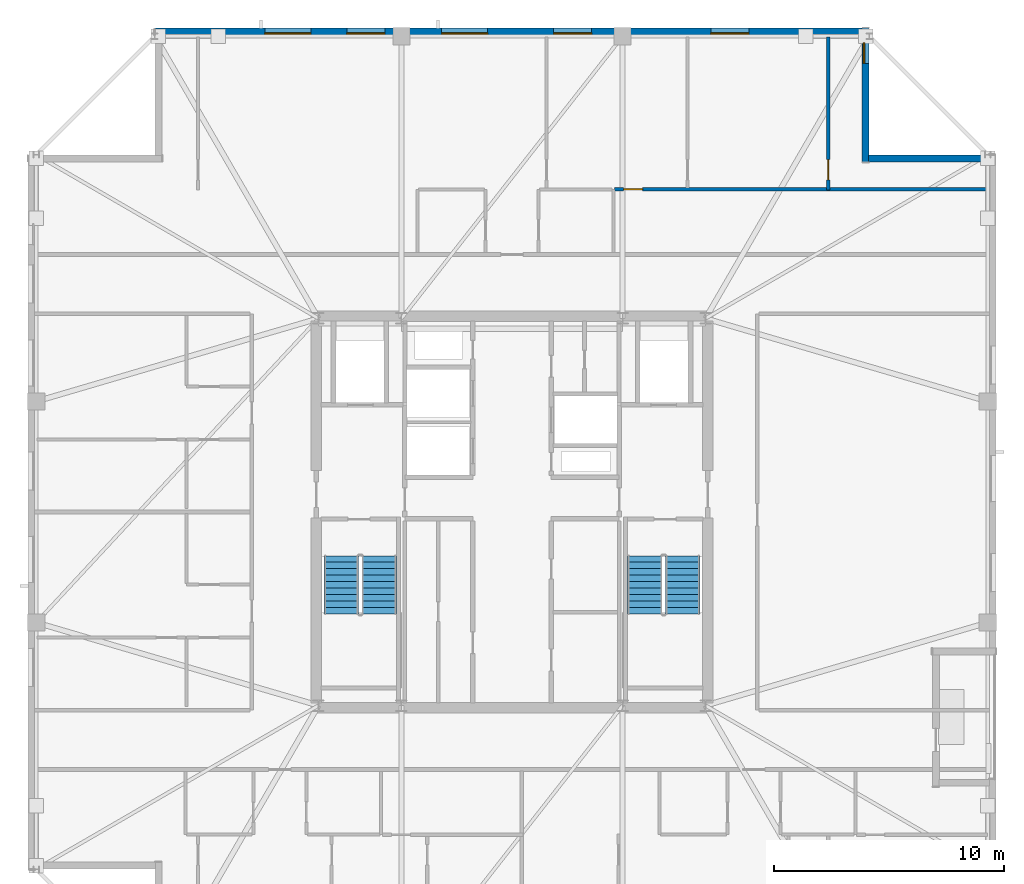
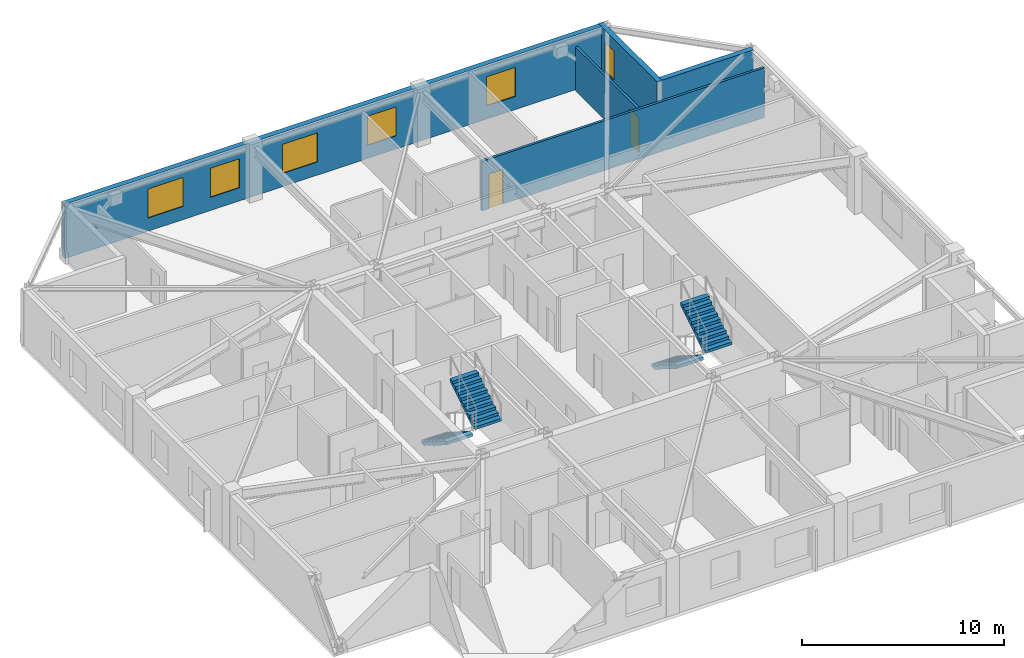
# One storey, part 11 of 14: 6 windows, 5 walls, 4 stair flights, 2 doors, 8 openings, 2 elements without a shape of their own.
"""IFC4 building model written with IfcOpenShell, lengths in metres."""

from ifc_helpers import new_model, si_unit, direction, frame, frame_2d, origin, place, context, subcontext, project, spatial, polyline, rectangle, outline, extrude, material, layer, layer_set, type_object, element, fill, aggregate, save


model = new_model("IFC4")

# Units and contexts
model_context = context("Model", 3, precision=1e-05, world=origin(), true_north=direction((0.0, 1.0)))
body_context = subcontext(model_context, "Body", "Model", "MODEL_VIEW")
ifc_project = project(units=[si_unit("LENGTHUNIT", "METRE"), si_unit("AREAUNIT", "SQUARE_METRE"), si_unit("VOLUMEUNIT", "CUBIC_METRE"), si_unit("PLANEANGLEUNIT", "RADIAN"), si_unit("MASSUNIT", "GRAM", prefix="KILO")], contexts=[model_context])

# Site, building, storey
site_placement = place(None, origin())
site = spatial("IfcSite", under=ifc_project, at=site_placement, CompositionType="ELEMENT")
building_placement = place(site_placement, origin())
building = spatial("IfcBuilding", under=site, at=building_placement, Name="Cairnveth Concourse Tower", CompositionType="ELEMENT")
storey_placement = place(building_placement, frame((0.0, 0.0, 294.5)))
storey = spatial("IfcBuildingStorey", under=building, at=storey_placement, Name="L81", CompositionType="ELEMENT", Elevation=294.5)

# Wall, opening, door
ifc_material_1 = material(Name="Gypsum Plasterboard Partition", Category="gypsum")
ifc_layer_1 = layer(ifc_material_1, 0.139892578125)
ifc_layer_set_1 = layer_set([ifc_layer_1], Name="Gypsum Plasterboard Partition")
wall_type_1 = type_object("IfcWallType", Name="GYPSUM STUD PARTITION 140", PredefinedType="PARTITIONING", material=ifc_layer_set_1)
wall_1_placement = place(storey_placement, frame((65.72998046875, 52.967529296875, 0.0), z_axis=(0.0, 0.0, 1.0), x_axis=(0.0, 1.0, 0.0)))
wall_1 = element("IfcWall", 1, at=wall_1_placement, inside=storey, type_object=wall_type_1, Name="Interior Wall IW-L81-072", PredefinedType="PARTITIONING", context=body_context, shape_type="SweptSolid", body=[
    extrude(rectangle(XDim=6.652587890625, YDim=0.139892578125, at=frame_2d((3.326171875, 0.0))), origin(), (0.0, 0.0, 1.0), 2.653076171875),
])
opening_1_placement = place(wall_1_placement, frame((0.449951171875, 0.0, 0.0)))
opening_1 = element("IfcOpeningElement", 2, at=opening_1_placement, cuts=wall_1, Name="Opening ID18", PredefinedType="OPENING", context=body_context, shape_type="SweptSolid", body=[
    extrude(rectangle(XDim=0.8798828125, YDim=2.10009765625, at=frame_2d((0.43994140625, 1.050048828125))), frame((0.0, 0.079833984375, 0.0), z_axis=(0.0, -1.0, 0.0), x_axis=(1.0, 0.0, 0.0)), (0.0, 0.0, 1.0), 0.159912109375),
])
ifc_material_2 = material(Name="Solid Core Hardwood Timber Leaf", Category="wood")
door_type_1 = type_object("IfcDoorType", Name="INTERIOR SINGLE DOOR 880X2100", OperationType="NOTDEFINED", PredefinedType="DOOR", material=ifc_material_2)
door_1_placement = place(opening_1_placement, origin())
door_1 = element("IfcDoor", 3, at=door_1_placement, inside=storey, type_object=door_type_1, Name="L81PN1 Bedroom 2 Door", OperationType="SINGLE_SWING_RIGHT", OverallHeight=2.10009765625, OverallWidth=0.8798828125, PredefinedType="DOOR", context=body_context, shape_type="SweptSolid", body=[
    extrude(rectangle(XDim=0.8798828125, YDim=2.10009765625, at=frame_2d((0.43994140625, 1.050048828125))), frame((0.0, 0.02490234375, 0.0), z_axis=(0.0, -1.0, 0.0), x_axis=(1.0, 0.0, 0.0)), (0.0, 0.0, 1.0), 0.050048828125),
])
fill(opening_1, door_1)

wall_2_placement = place(storey_placement, frame((56.449951171875, 53.007568359375, 0.0), z_axis=(0.0, 0.0, 1.0), x_axis=(1.0, 0.0, 0.0)))
wall_2 = element("IfcWall", 4, at=wall_2_placement, inside=storey, type_object=wall_type_1, Name="Interior Wall IW-L81-073", PredefinedType="PARTITIONING", context=body_context, shape_type="SweptSolid", body=[
    extrude(rectangle(XDim=16.179931640625, YDim=0.139892578125, at=frame_2d((8.08984375, 0.0))), origin(), (0.0, 0.0, 1.0), 3.009033203125),
])
opening_2_placement = place(wall_2_placement, frame((0.39990234375, 0.0, 0.0)))
opening_2 = element("IfcOpeningElement", 5, at=opening_2_placement, cuts=wall_2, Name="Opening ID22", PredefinedType="OPENING", context=body_context, shape_type="SweptSolid", body=[
    extrude(rectangle(XDim=0.820068359375, YDim=2.10009765625, at=frame_2d((0.41015625, 1.050048828125))), frame((0.0, 0.079833984375, 0.0), z_axis=(0.0, -1.0, 0.0), x_axis=(1.0, 0.0, 0.0)), (0.0, 0.0, 1.0), 0.159912109375),
])
door_type_2 = type_object("IfcDoorType", Name="INTERIOR WC DOOR 820X2100", OperationType="NOTDEFINED", PredefinedType="DOOR", material=ifc_material_2)
door_2_placement = place(opening_2_placement, origin())
door_2 = element("IfcDoor", 6, at=door_2_placement, inside=storey, type_object=door_type_2, Name="L81PN1 Utility Door", OperationType="SINGLE_SWING_LEFT", OverallHeight=2.10009765625, OverallWidth=0.820068359375, PredefinedType="DOOR", context=body_context, shape_type="SweptSolid", body=[
    extrude(rectangle(XDim=0.820068359375, YDim=2.10009765625, at=frame_2d((0.41015625, 1.050048828125))), frame((0.0, 0.02490234375, 0.0), z_axis=(0.0, -1.0, 0.0), x_axis=(1.0, 0.0, 0.0)), (0.0, 0.0, 1.0), 0.050048828125),
])
fill(opening_2, door_2)

# Wall, openings, windows
ifc_material_3 = material(Name="Hawthorn Red-Ochre Fired Clay Brick Masonry", Category="masonry")
ifc_layer_2 = layer(ifc_material_3, 0.300048828125)
ifc_layer_set_2 = layer_set([ifc_layer_2], Name="Hawthorn Red-Ochre Fired Clay Brick Masonry")
wall_type_2 = type_object("IfcWallType", Name="ZONE 4 BRICK PIER SPANDREL WALL 300", PredefinedType="SOLIDWALL", material=ifc_layer_set_2)
wall_3_placement = place(storey_placement, frame((36.5, 59.85009765625, 0.0), z_axis=(0.0, 0.0, 1.0), x_axis=(1.0, 0.0, 0.0)))
wall_3 = element("IfcWall", 7, at=wall_3_placement, inside=storey, type_object=wall_type_2, Name="Exterior Wall EW-L81-S09", PredefinedType="SOLIDWALL", context=body_context, shape_type="SweptSolid", body=[
    extrude(rectangle(XDim=30.721923828125, YDim=0.300048828125, at=frame_2d((15.36083984375, 0.0))), origin(), (0.0, 0.0, 1.0), 3.2900390625),
])
opening_3_placement = place(wall_3_placement, frame((4.7685546875, 0.0, 0.800048828125)))
opening_3 = element("IfcOpeningElement", 8, at=opening_3_placement, cuts=wall_3, Name="Opening W09", PredefinedType="OPENING", context=body_context, shape_type="SweptSolid", body=[
    extrude(rectangle(XDim=2.0, YDim=1.758056640625, at=frame_2d((1.0, 0.87890625))), frame((0.0, 0.159912109375, 0.0), z_axis=(0.0, -1.0, 0.0), x_axis=(1.0, 0.0, 0.0)), (0.0, 0.0, 1.0), 0.320068359375),
])
opening_4_placement = place(wall_3_placement, frame((8.33056640625, 0.0, 0.800048828125)))
opening_4 = element("IfcOpeningElement", 9, at=opening_4_placement, cuts=wall_3, Name="Opening W04", PredefinedType="OPENING", context=body_context, shape_type="SweptSolid", body=[
    extrude(rectangle(XDim=1.64990234375, YDim=1.758056640625, at=frame_2d((0.824951171875, 0.87890625))), frame((0.0, 0.159912109375, 0.0), z_axis=(0.0, -1.0, 0.0), x_axis=(1.0, 0.0, 0.0)), (0.0, 0.0, 1.0), 0.320068359375),
])
opening_5_placement = place(wall_3_placement, frame((12.4423828125, 0.0, 0.800048828125)))
opening_5 = element("IfcOpeningElement", 10, at=opening_5_placement, cuts=wall_3, Name="Opening W09", PredefinedType="OPENING", context=body_context, shape_type="SweptSolid", body=[
    extrude(rectangle(XDim=2.0, YDim=1.758056640625, at=frame_2d((1.0, 0.87890625))), frame((0.0, 0.159912109375, 0.0), z_axis=(0.0, -1.0, 0.0), x_axis=(1.0, 0.0, 0.0)), (0.0, 0.0, 1.0), 0.320068359375),
])
opening_6_placement = place(wall_3_placement, frame((17.304443359375, 0.0, 0.800048828125)))
opening_6 = element("IfcOpeningElement", 11, at=opening_6_placement, cuts=wall_3, Name="Opening W04", PredefinedType="OPENING", context=body_context, shape_type="SweptSolid", body=[
    extrude(rectangle(XDim=1.64990234375, YDim=1.758056640625, at=frame_2d((0.824951171875, 0.87890625))), frame((0.0, 0.159912109375, 0.0), z_axis=(0.0, -1.0, 0.0), x_axis=(1.0, 0.0, 0.0)), (0.0, 0.0, 1.0), 0.320068359375),
])
opening_7_placement = place(wall_3_placement, frame((24.12841796875, 0.0, 0.800048828125)))
opening_7 = element("IfcOpeningElement", 12, at=opening_7_placement, cuts=wall_3, Name="Opening W04", PredefinedType="OPENING", context=body_context, shape_type="SweptSolid", body=[
    extrude(rectangle(XDim=1.64990234375, YDim=1.758056640625, at=frame_2d((0.824951171875, 0.87890625))), frame((0.0, 0.159912109375, 0.0), z_axis=(0.0, -1.0, 0.0), x_axis=(1.0, 0.0, 0.0)), (0.0, 0.0, 1.0), 0.320068359375),
])
ifc_material_4 = material(Name="Double Glazed Low-E Clear Glass", Category="glass")
window_type_1 = type_object("IfcWindowType", Name="DEEP-SET GOTHIC LANCET WINDOW 1650X1850", PartitioningType="DOUBLE_PANEL_VERTICAL", PredefinedType="WINDOW", material=ifc_material_4)
window_1_placement = place(opening_4_placement, origin())
window_1 = element("IfcWindow", 13, at=window_1_placement, inside=storey, type_object=window_type_1, Name="Gothic Lancet Window L81-9-2", OverallHeight=1.758056640625, OverallWidth=1.64990234375, PartitioningType="SINGLE_PANEL", PredefinedType="WINDOW", context=body_context, shape_type="SweptSolid", body=[
    extrude(rectangle(XDim=1.64990234375, YDim=1.758056640625, at=frame_2d((0.824951171875, 0.87890625))), frame((0.0, -0.050048828125, 0.0), z_axis=(0.0, -1.0, 0.0), x_axis=(1.0, 0.0, 0.0)), (0.0, 0.0, 1.0), 0.06005859375),
])
fill(opening_4, window_1)
window_2_placement = place(opening_6_placement, origin())
window_2 = element("IfcWindow", 14, at=window_2_placement, inside=storey, type_object=window_type_1, Name="Gothic Lancet Window L81-9-4", OverallHeight=1.758056640625, OverallWidth=1.64990234375, PartitioningType="SINGLE_PANEL", PredefinedType="WINDOW", context=body_context, shape_type="SweptSolid", body=[
    extrude(rectangle(XDim=1.64990234375, YDim=1.758056640625, at=frame_2d((0.824951171875, 0.87890625))), frame((0.0, -0.050048828125, 0.0), z_axis=(0.0, -1.0, 0.0), x_axis=(1.0, 0.0, 0.0)), (0.0, 0.0, 1.0), 0.06005859375),
])
fill(opening_6, window_2)
window_3_placement = place(opening_7_placement, origin())
window_3 = element("IfcWindow", 15, at=window_3_placement, inside=storey, type_object=window_type_1, Name="Gothic Lancet Window L81-9-6", OverallHeight=1.758056640625, OverallWidth=1.64990234375, PartitioningType="SINGLE_PANEL", PredefinedType="WINDOW", context=body_context, shape_type="SweptSolid", body=[
    extrude(rectangle(XDim=1.64990234375, YDim=1.758056640625, at=frame_2d((0.824951171875, 0.87890625))), frame((0.0, -0.050048828125, 0.0), z_axis=(0.0, -1.0, 0.0), x_axis=(1.0, 0.0, 0.0)), (0.0, 0.0, 1.0), 0.06005859375),
])
fill(opening_7, window_3)
window_type_2 = type_object("IfcWindowType", Name="DEEP-SET PENTHOUSE LANCET WINDOW 2000X1850", PartitioningType="DOUBLE_PANEL_VERTICAL", PredefinedType="WINDOW", material=ifc_material_4)
window_4_placement = place(opening_3_placement, origin())
window_4 = element("IfcWindow", 16, at=window_4_placement, inside=storey, type_object=window_type_2, Name="Gothic Lancet Window L81-9-1", OverallHeight=1.758056640625, OverallWidth=2.0, PartitioningType="SINGLE_PANEL", PredefinedType="WINDOW", context=body_context, shape_type="SweptSolid", body=[
    extrude(rectangle(XDim=2.0, YDim=1.758056640625, at=frame_2d((1.0, 0.87890625))), frame((0.0, -0.050048828125, 0.0), z_axis=(0.0, -1.0, 0.0), x_axis=(1.0, 0.0, 0.0)), (0.0, 0.0, 1.0), 0.06005859375),
])
fill(opening_3, window_4)
window_5_placement = place(opening_5_placement, origin())
window_5 = element("IfcWindow", 17, at=window_5_placement, inside=storey, type_object=window_type_2, Name="Gothic Lancet Window L81-9-3", OverallHeight=1.758056640625, OverallWidth=2.0, PartitioningType="SINGLE_PANEL", PredefinedType="WINDOW", context=body_context, shape_type="SweptSolid", body=[
    extrude(rectangle(XDim=2.0, YDim=1.758056640625, at=frame_2d((1.0, 0.87890625))), frame((0.0, -0.050048828125, 0.0), z_axis=(0.0, -1.0, 0.0), x_axis=(1.0, 0.0, 0.0)), (0.0, 0.0, 1.0), 0.06005859375),
])
fill(opening_5, window_5)

# Wall, opening, window
wall_4_placement = place(storey_placement, frame((67.35009765625, 60.0, 0.0), z_axis=(0.0, 0.0, 1.0), x_axis=(0.0, -1.0, 0.0)))
wall_4 = element("IfcWall", 18, at=wall_4_placement, inside=storey, type_object=wall_type_2, Name="Exterior Wall EW-L81-S10", PredefinedType="SOLIDWALL", context=body_context, shape_type="SweptSolid", body=[
    extrude(rectangle(XDim=5.800048828125, YDim=0.300048828125, at=frame_2d((2.89990234375, 0.0))), origin(), (0.0, 0.0, 1.0), 3.2900390625),
])
opening_8_placement = place(wall_4_placement, frame((0.6298828125, 0.0, 0.800048828125)))
opening_8 = element("IfcOpeningElement", 19, at=opening_8_placement, cuts=wall_4, Name="Opening W13", PredefinedType="OPENING", context=body_context, shape_type="SweptSolid", body=[
    extrude(rectangle(XDim=0.89990234375, YDim=1.75, at=frame_2d((0.449951171875, 0.875))), frame((0.0, 0.159912109375, 0.0), z_axis=(0.0, -1.0, 0.0), x_axis=(1.0, 0.0, 0.0)), (0.0, 0.0, 1.0), 0.320068359375),
])
window_type_3 = type_object("IfcWindowType", Name="DEEP-SET BEDROOM LANCET WINDOW 900X1750", PartitioningType="DOUBLE_PANEL_VERTICAL", PredefinedType="WINDOW", material=ifc_material_4)
window_6_placement = place(opening_8_placement, origin())
window_6 = element("IfcWindow", 20, at=window_6_placement, inside=storey, type_object=window_type_3, Name="Dwelling Lancet Window L81-DW4", OverallHeight=1.75, OverallWidth=0.89990234375, PartitioningType="SINGLE_PANEL", PredefinedType="WINDOW", context=body_context, shape_type="SweptSolid", body=[
    extrude(rectangle(XDim=0.89990234375, YDim=1.75, at=frame_2d((0.449951171875, 0.875))), frame((0.0, -0.0400390625, 0.0), z_axis=(0.0, -1.0, 0.0), x_axis=(1.0, 0.0, 0.0)), (0.0, 0.0, 1.0), 0.06005859375),
])
fill(opening_8, window_6)

# Wall
wall_5_placement = place(storey_placement, frame((67.47802734375, 54.35009765625, 0.0), z_axis=(0.0, 0.0, 1.0), x_axis=(1.0, 0.0, 0.0)))
element("IfcWall", 21, at=wall_5_placement, inside=storey, type_object=wall_type_2, Name="Exterior Wall EW-L81-S11", PredefinedType="SOLIDWALL", context=body_context, shape_type="SweptSolid", body=[
    extrude(rectangle(XDim=5.243896484375, YDim=0.300048828125, at=frame_2d((2.6220703125, 0.0))), origin(), (0.0, 0.0, 1.0), 3.2900390625),
])

# Stair, stair flights
ifc_material_5 = material(Name="Precast concrete N50 (50 MPa)", Category="concrete")
stair_type = type_object("IfcStairType", Name="CORE DOG-LEG FIRE STAIR 1500", PredefinedType="HALF_TURN_STAIR", material=ifc_material_5)
stair_1_placement = place(storey_placement, origin())
stair_1 = element("IfcStair", 22, at=stair_1_placement, inside=storey, type_object=stair_type, Name="L81 Fire-Isolated Stair ST-1", PredefinedType="HALF_TURN_STAIR")
stair_flight_type = type_object("IfcStairFlightType", Name="PRECAST CONCRETE STAIR FLIGHT 1500", PredefinedType="STRAIGHT", material=ifc_material_5)
stair_flight_1_placement = place(storey_placement, frame((44.590087890625, 37.10009765625, 0.0), z_axis=(0.0, 0.0, 1.0), x_axis=(0.0, -1.0, 0.0)))
stair_flight_1 = element("IfcStairFlight", 23, at=stair_flight_1_placement, type_object=stair_flight_type, Name="ST-1 flight 1", NumberOfRisers=10, NumberOfTreads=9, PredefinedType="STRAIGHT", RiserHeight=0.175, TreadLength=0.28, context=body_context, shape_type="SweptSolid", body=[
    extrude(outline(polyline([(0.0, 0.0), (0.0, 0.175048828125), (0.280029296875, 0.175048828125), (0.280029296875, 0.35009765625), (0.56005859375, 0.35009765625), (0.56005859375, 0.52490234375), (0.840087890625, 0.52490234375), (0.840087890625, 0.699951171875), (1.1201171875, 0.699951171875), (1.1201171875, 0.875), (1.39990234375, 0.875), (1.39990234375, 1.050048828125), (1.679931640625, 1.050048828125), (1.679931640625, 1.22509765625), (1.9599609375, 1.22509765625), (1.9599609375, 1.39990234375), (2.239990234375, 1.39990234375), (2.239990234375, 1.574951171875), (2.52001953125, 1.574951171875), (2.52001953125, 1.75), (2.52001953125, 1.398193359375), (0.28271484375, 0.0), (0.0, 0.0)])), frame((0.0, 0.75, 0.0), z_axis=(0.0, -1.0, 0.0), x_axis=(1.0, 0.0, 0.0)), (0.0, 0.0, 1.0), 1.5),
])
stair_flight_2_placement = place(storey_placement, frame((46.22998046875, 34.580078125, 1.75), z_axis=(0.0, 0.0, 1.0), x_axis=(0.0, 1.0, 0.0)))
stair_flight_2 = element("IfcStairFlight", 24, at=stair_flight_2_placement, type_object=stair_flight_type, Name="ST-1 flight 2", NumberOfRisers=10, NumberOfTreads=9, PredefinedType="STRAIGHT", RiserHeight=0.175, TreadLength=0.28, context=body_context, shape_type="SweptSolid", body=[
    extrude(outline(polyline([(0.0, 0.0), (0.0, 0.175048828125), (0.280029296875, 0.175048828125), (0.280029296875, 0.35009765625), (0.56005859375, 0.35009765625), (0.56005859375, 0.52490234375), (0.840087890625, 0.52490234375), (0.840087890625, 0.699951171875), (1.1201171875, 0.699951171875), (1.1201171875, 0.875), (1.39990234375, 0.875), (1.39990234375, 1.050048828125), (1.679931640625, 1.050048828125), (1.679931640625, 1.22509765625), (1.9599609375, 1.22509765625), (1.9599609375, 1.39990234375), (2.239990234375, 1.39990234375), (2.239990234375, 1.574951171875), (2.52001953125, 1.574951171875), (2.52001953125, 1.75), (2.52001953125, 1.398193359375), (0.28271484375, 0.0), (0.0, 0.0)])), frame((0.0, 0.75, 0.0), z_axis=(0.0, -1.0, 0.0), x_axis=(1.0, 0.0, 0.0)), (0.0, 0.0, 1.0), 1.5),
])
aggregate(stair_1, [stair_flight_1, stair_flight_2])

stair_2_placement = place(storey_placement, origin())
stair_2 = element("IfcStair", 25, at=stair_2_placement, inside=storey, type_object=stair_type, Name="L81 Fire-Isolated Stair ST-2", PredefinedType="HALF_TURN_STAIR")
stair_flight_3_placement = place(storey_placement, frame((57.77001953125, 37.10009765625, 0.0), z_axis=(0.0, 0.0, 1.0), x_axis=(0.0, -1.0, 0.0)))
stair_flight_3 = element("IfcStairFlight", 26, at=stair_flight_3_placement, type_object=stair_flight_type, Name="ST-2 flight 1", NumberOfRisers=10, NumberOfTreads=9, PredefinedType="STRAIGHT", RiserHeight=0.175, TreadLength=0.28, context=body_context, shape_type="SweptSolid", body=[
    extrude(outline(polyline([(0.0, 0.0), (0.0, 0.175048828125), (0.280029296875, 0.175048828125), (0.280029296875, 0.35009765625), (0.56005859375, 0.35009765625), (0.56005859375, 0.52490234375), (0.840087890625, 0.52490234375), (0.840087890625, 0.699951171875), (1.1201171875, 0.699951171875), (1.1201171875, 0.875), (1.39990234375, 0.875), (1.39990234375, 1.050048828125), (1.679931640625, 1.050048828125), (1.679931640625, 1.22509765625), (1.9599609375, 1.22509765625), (1.9599609375, 1.39990234375), (2.239990234375, 1.39990234375), (2.239990234375, 1.574951171875), (2.52001953125, 1.574951171875), (2.52001953125, 1.75), (2.52001953125, 1.398193359375), (0.28271484375, 0.0), (0.0, 0.0)])), frame((0.0, 0.75, 0.0), z_axis=(0.0, -1.0, 0.0), x_axis=(1.0, 0.0, 0.0)), (0.0, 0.0, 1.0), 1.5),
])
stair_flight_4_placement = place(storey_placement, frame((59.409912109375, 34.580078125, 1.75), z_axis=(0.0, 0.0, 1.0), x_axis=(0.0, 1.0, 0.0)))
stair_flight_4 = element("IfcStairFlight", 27, at=stair_flight_4_placement, type_object=stair_flight_type, Name="ST-2 flight 2", NumberOfRisers=10, NumberOfTreads=9, PredefinedType="STRAIGHT", RiserHeight=0.175, TreadLength=0.28, context=body_context, shape_type="SweptSolid", body=[
    extrude(outline(polyline([(0.0, 0.0), (0.0, 0.175048828125), (0.280029296875, 0.175048828125), (0.280029296875, 0.35009765625), (0.56005859375, 0.35009765625), (0.56005859375, 0.52490234375), (0.840087890625, 0.52490234375), (0.840087890625, 0.699951171875), (1.1201171875, 0.699951171875), (1.1201171875, 0.875), (1.39990234375, 0.875), (1.39990234375, 1.050048828125), (1.679931640625, 1.050048828125), (1.679931640625, 1.22509765625), (1.9599609375, 1.22509765625), (1.9599609375, 1.39990234375), (2.239990234375, 1.39990234375), (2.239990234375, 1.574951171875), (2.52001953125, 1.574951171875), (2.52001953125, 1.75), (2.52001953125, 1.398193359375), (0.28271484375, 0.0), (0.0, 0.0)])), frame((0.0, 0.75, 0.0), z_axis=(0.0, -1.0, 0.0), x_axis=(1.0, 0.0, 0.0)), (0.0, 0.0, 1.0), 1.5),
])
aggregate(stair_2, [stair_flight_3, stair_flight_4])

save(model, "model.ifc")
